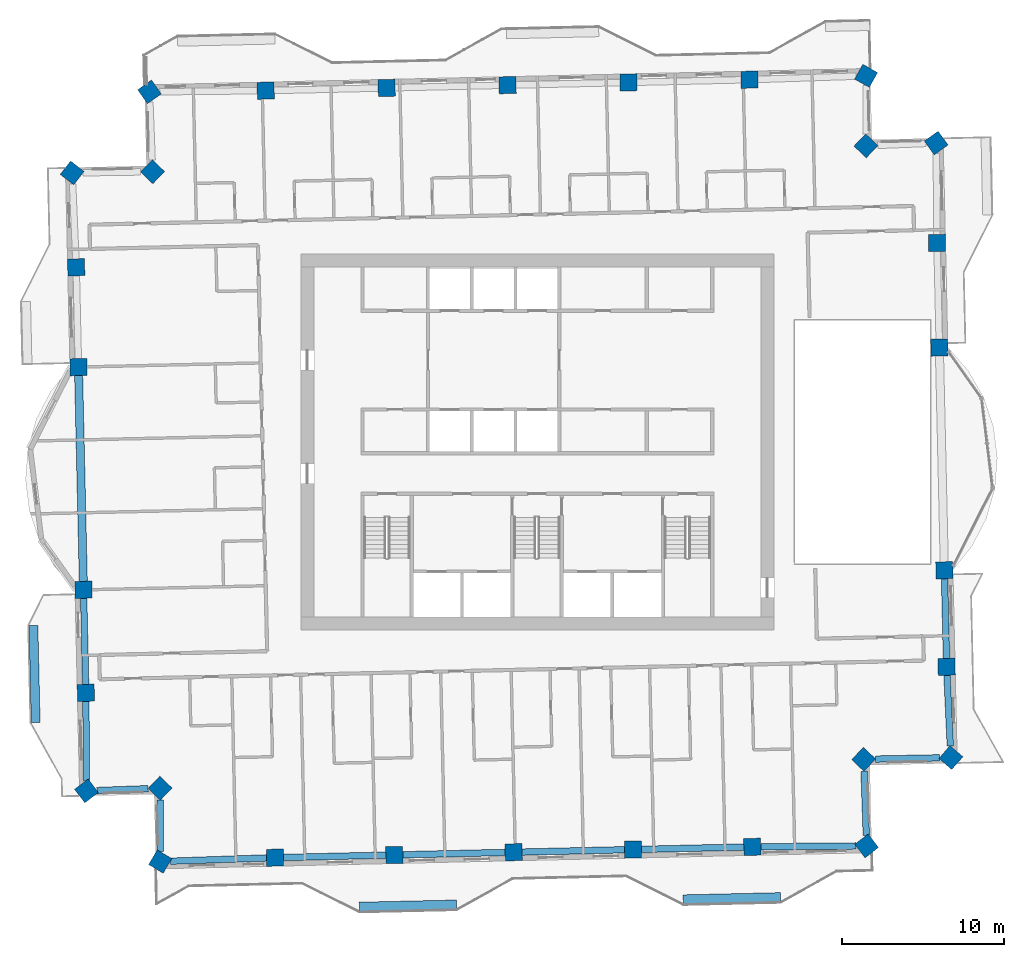
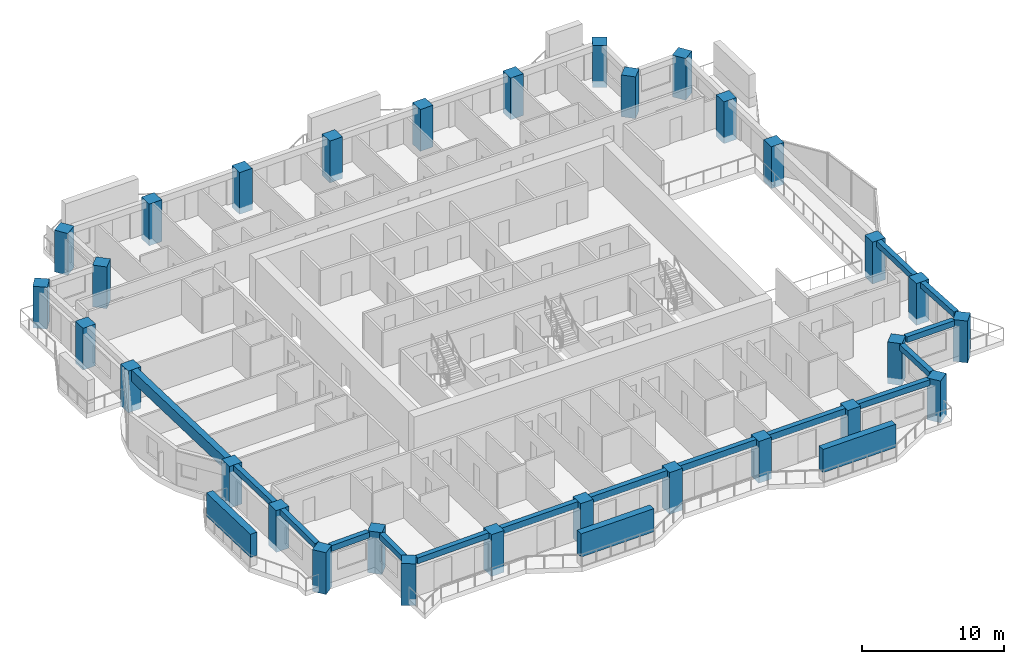
# One storey, part 1 of 17: 30 columns, 15 beams, 3 members.
"""IFC4 building model written with IfcOpenShell, lengths in metres."""

from ifc_helpers import new_model, si_unit, direction, frame, origin, origin_2d, place, context, subcontext, project, spatial, rectangle, extrude, material, material_profile, profile_set, type_object, element, save


model = new_model("IFC4")

# Units and contexts
model_context = context("Model", 3, precision=1e-05, world=origin(), true_north=direction((0.0, 1.0)))
body_context = subcontext(model_context, "Body", "Model", "MODEL_VIEW")
ifc_project = project(units=[si_unit("LENGTHUNIT", "METRE"), si_unit("AREAUNIT", "SQUARE_METRE"), si_unit("VOLUMEUNIT", "CUBIC_METRE"), si_unit("PLANEANGLEUNIT", "RADIAN"), si_unit("MASSUNIT", "GRAM", prefix="KILO")], contexts=[model_context])

# Site, building, storey
site_placement = place(None, origin())
site = spatial("IfcSite", under=ifc_project, at=site_placement, CompositionType="ELEMENT")
building_placement = place(site_placement, origin())
building = spatial("IfcBuilding", under=site, at=building_placement, Name="Mangrove Gate Tower", CompositionType="ELEMENT")
storey_placement = place(building_placement, frame((0.0, 0.0, 249.10009765625)))
storey = spatial("IfcBuildingStorey", under=building, at=storey_placement, Name="L63", CompositionType="ELEMENT", Elevation=249.10009765625)

# Columns
ifc_material_1 = material(Name="Concrete C60/75", Category="concrete")
ifc_material_profile_1 = material_profile(ifc_material_1, rectangle(XDim=1.050048828125, YDim=1.050048828125, at=origin_2d()))
ifc_profile_set_1 = profile_set([ifc_material_profile_1], Name="Concrete C60/75")
column_type = type_object("IfcColumnType", Name="Column RC 1050x1050 C60/75", PredefinedType="COLUMN", material=ifc_profile_set_1)
for number, where, z_axis, x_axis, name in (
    (1, (-28.01611328125, -9.1259765625, -0.550048828125), (0.0, 0.0, 1.0), (0.022671716894, -0.999742963593, 0.0), "Column L63 W05"),
    (2, (-27.8720703125, -15.487060546875, -0.550048828125), (0.0, 0.0, 1.0), (0.02271069751, -0.999742078848, 0.0), "Column L63 W06"),
    (3, (-27.83349609375, -21.54296875, -0.550048828125), (0.0, 0.0, 1.0), (0.604088172923, -0.796917485901, 0.0), "Column L63 W07"),
    (4, (-23.291259765625, -21.37646484375, -0.550048828125), (0.0, 0.0, 1.0), (0.722988982899, -0.690859559249, 0.0), "Column L63 W08"),
    (5, (-23.28125, -25.90234375, -0.550048828125), (0.0, 0.0, 1.0), (0.860102602096, -0.510121077655, 0.0), "Column L63 S01"),
    (6, (-16.19482421875, -25.662109375, -0.550048828125), (0.0, 0.0, 1.0), (0.999743095343, 0.022665906441, 0.0), "Column L63 S02"),
    (7, (-8.828857421875, -25.4951171875, -0.550048828125), (0.0, 0.0, 1.0), (0.999743095343, 0.022665906441, 0.0), "Column L63 S03"),
    (8, (-1.462890625, -25.328125, -0.550048828125), (0.0, 0.0, 1.0), (0.999743095343, 0.022665906441, 0.0), "Column L63 S04"),
    (9, (5.903076171875, -25.1611328125, -0.550048828125), (0.0, 0.0, 1.0), (0.999743095343, 0.022665906441, 0.0), "Column L63 S05"),
    (10, (13.26904296875, -24.994140625, -0.550048828125), (0.0, 0.0, 1.0), (0.999741555365, 0.022733729908, 0.0), "Column L63 S06"),
    (11, (20.3271484375, -24.934814453125, -0.550048828125), (0.0, 0.0, 1.0), (0.792957554961, 0.609276879612, 0.0), "Column L63 S07"),
    (12, (20.1455078125, -19.59033203125, -0.550048828125), (0.0, 0.0, 1.0), (0.690952060098, 0.72290058144, 0.0), "Column L63 E01"),
    (13, (25.52685546875, -19.486572265625, -0.550048828125), (0.0, 0.0, 1.0), (0.654234577243, 0.756291688398, 0.0), "Column L63 E02"),
    (14, (25.26318359375, -13.880859375, -0.550048828125), (0.0, 0.0, 1.0), (-0.022727116819, 0.999741705723, 0.0), "Column L63 E03"),
    (15, (25.128173828125, -7.9208984375, -0.550048828125), (0.0, 0.0, 1.0), (-0.022676462969, 0.999742855952, 0.0), "Column L63 E04"),
    (16, (24.816162109375, 5.826171875, -0.550048828125), (0.0, 0.0, 1.0), (-0.022707923152, 0.999742141868, 0.0), "Column L63 E05"),
    (17, (24.669189453125, 12.287109375, -0.550048828125), (0.0, 0.0, 1.0), (-0.022668680801, 0.999743032439, 0.0), "Column L63 E06"),
    (18, (24.620849609375, 18.454833984375, -0.550048828125), (0.0, 0.0, 1.0), (-0.581359179883, 0.813647038934, 0.0), "Column L63 E07"),
    (19, (20.286376953125, 18.280517578125, -0.550048828125), (0.0, 0.0, 1.0), (-0.722994264183, 0.690854032309, 0.0), "Column L63 E08"),
    (20, (20.29296875, 22.600830078125, -0.550048828125), (0.0, 0.0, 1.0), (-0.872897238591, 0.487904100064, 0.0), "Column L63 N01"),
    (21, (13.094970703125, 22.364013671875, -0.550048828125), (0.0, 0.0, 1.0), (-0.999742388325, -0.022697070002, 0.0), "Column L63 N02"),
    (22, (5.62890625, 22.195068359375, -0.550048828125), (0.0, 0.0, 1.0), (-0.999743905277, -0.022630153817, 0.0), "Column L63 N03"),
    (23, (-1.837158203125, 22.026123046875, -0.550048828125), (0.0, 0.0, 1.0), (-0.999742388325, -0.022697070002, 0.0), "Column L63 N04"),
    (24, (-9.302978515625, 21.856201171875, -0.550048828125), (0.0, 0.0, 1.0), (-0.999742388325, -0.022697070002, 0.0), "Column L63 N05"),
    (25, (-16.76904296875, 21.687255859375, -0.550048828125), (0.0, 0.0, 1.0), (-0.999742388325, -0.022697070002, 0.0), "Column L63 N06"),
    (26, (-23.945068359375, 21.612548828125, -0.550048828125), (0.0, 0.0, 1.0), (-0.818137935301, -0.575022015946, 0.0), "Column L63 N07"),
    (27, (-23.75439453125, 16.68115234375, -0.550048828125), (0.0, 0.0, 1.0), (-0.690946470748, -0.722905923728, 0.0), "Column L63 W01"),
    (28, (-28.718017578125, 16.608642578125, -0.550048828125), (0.0, 0.0, 1.0), (-0.612246894698, -0.790666642734, 0.0), "Column L63 W02"),
    (29, (-28.468017578125, 10.781005859375, -0.550048828125), (0.0, 0.0, 1.0), (0.022719561495, -0.999741877449, 0.0), "Column L63 W03"),
    (30, (-28.328125, 4.620849609375, -0.550048828125), (0.0, 0.0, 1.0), (0.022699722219, -0.999742328108, 0.0), "Column L63 W04"),
):
    element("IfcColumn", number, at=place(storey_placement, frame(where, z_axis=z_axis, x_axis=x_axis)), inside=storey, type_object=column_type, Name=name, PredefinedType="COLUMN", context=body_context, shape_type="SweptSolid", body=[
        extrude(rectangle(XDim=1.050048828125, YDim=1.050048828125, at=origin_2d()), origin(), (0.0, 0.0, 1.0), 3.599853515625),
    ])

# Members
ifc_material_2 = material(Name="Planting on aluminium trellis", Category="aluminium")
ifc_material_profile_2 = material_profile(ifc_material_2, rectangle(XDim=0.550048828125, YDim=2.0, at=origin_2d()))
ifc_profile_set_2 = profile_set([ifc_material_profile_2], Name="Planting on aluminium trellis")
member_type = type_object("IfcMemberType", Name="Balcony greenery screen 550x2000", PredefinedType="USERDEFINED", material=ifc_profile_set_2)
for number, where, z_axis, x_axis, name in (
    (31, (-30.970947265625, -17.321044921875, 1.7998046875), (-0.022662255828, 0.999743178102, 0.0), (-0.999743178102, -0.022662255828, 0.0), "GREEN SCREEN L63 W1.1"),
    (32, (-10.989013671875, -28.68505859375, 1.7998046875), (0.999743178102, 0.022662255828, 0.0), (-0.022662255828, 0.999743178102, 0.0), "GREEN SCREEN L63 S0.1"),
):
    element("IfcMember", number, at=place(storey_placement, frame(where, z_axis=z_axis, x_axis=x_axis)), inside=storey, type_object=member_type, Name=name, ObjectType="PLANTING", PredefinedType="USERDEFINED", context=body_context, shape_type="SweptSolid", body=[
        extrude(rectangle(XDim=0.550048828125, YDim=2.0, at=origin_2d()), origin(), (0.0, 0.0, 1.0), 6.00048828125),
    ])
member_placement = place(storey_placement, frame((9.006103515625, -28.23095703125, 1.7998046875), z_axis=(0.999743157205, 0.022663177671, 0.0), x_axis=(-0.022663177671, 0.999743157205, 0.0)))
element("IfcMember", 33, at=member_placement, inside=storey, type_object=member_type, Name="GREEN SCREEN L63 S1.1", ObjectType="PLANTING", PredefinedType="USERDEFINED", context=body_context, shape_type="SweptSolid", body=[
    extrude(rectangle(XDim=0.550048828125, YDim=2.0, at=origin_2d()), origin(), (0.0, 0.0, 1.0), 6.000244140625),
])

# Beams
ifc_material_3 = material(Name="Concrete C50/60", Category="concrete")
ifc_material_profile_3 = material_profile(ifc_material_3, rectangle(XDim=0.39990234375, YDim=0.5, at=origin_2d()))
ifc_profile_set_3 = profile_set([ifc_material_profile_3], Name="Concrete C50/60")
beam_type_1 = type_object("IfcBeamType", Name="Edge beam RC 400x500 C50/60", PredefinedType="BEAM", material=ifc_profile_set_3)
beam_1_placement = place(storey_placement, frame((-28.004150390625, -9.65087890625, 2.7998046875), z_axis=(0.022609709445, -0.999744367846, 0.0), x_axis=(0.999744367846, 0.022609709445, 0.0)))
element("IfcBeam", 34, at=beam_1_placement, inside=storey, type_object=beam_type_1, Name="Edge beam L63 00", PredefinedType="BEAM", context=body_context, shape_type="SweptSolid", body=[
    extrude(rectangle(XDim=0.39990234375, YDim=0.5, at=origin_2d()), origin(), (0.0, 0.0, 1.0), 5.312744140625),
])
beam_2_placement = place(storey_placement, frame((-27.868896484375, -16.01220703125, 2.7998046875), z_axis=(0.006360047646, -0.999979774692, 0.0), x_axis=(0.999979774692, 0.006360047646, 0.0)))
element("IfcBeam", 35, at=beam_2_placement, inside=storey, type_object=beam_type_1, Name="Edge beam L63 01", PredefinedType="BEAM", context=body_context, shape_type="SweptSolid", body=[
    extrude(rectangle(XDim=0.39990234375, YDim=0.5, at=origin_2d()), origin(), (0.0, 0.0, 1.0), 4.875),
])
beam_3_placement = place(storey_placement, frame((-27.192626953125, -21.519287109375, 2.7998046875), z_axis=(0.999331289384, 0.036564655866, 0.0), x_axis=(-0.036564655866, 0.999331289384, 0.0)))
element("IfcBeam", 36, at=beam_3_placement, inside=storey, type_object=beam_type_1, Name="Edge beam L63 02", PredefinedType="BEAM", context=body_context, shape_type="SweptSolid", body=[
    extrude(rectangle(XDim=0.39990234375, YDim=0.5, at=origin_2d()), origin(), (0.0, 0.0, 1.0), 3.171630859375),
])
beam_4_placement = place(storey_placement, frame((-23.289794921875, -22.104248046875, 2.7998046875), z_axis=(0.002298140093, -0.999997359273, 0.0), x_axis=(0.999997359273, 0.002298140093, 0.0)))
element("IfcBeam", 37, at=beam_4_placement, inside=storey, type_object=beam_type_1, Name="Edge beam L63 03", PredefinedType="BEAM", context=body_context, shape_type="SweptSolid", body=[
    extrude(rectangle(XDim=0.39990234375, YDim=0.5, at=origin_2d()), origin(), (0.0, 0.0, 1.0), 3.18701171875),
])
beam_5_placement = place(storey_placement, frame((-22.658203125, -25.88134765625, 2.7998046875), z_axis=(0.999425310305, 0.033897627076, 0.0), x_axis=(-0.033897627076, 0.999425310305, 0.0)))
element("IfcBeam", 38, at=beam_5_placement, inside=storey, type_object=beam_type_1, Name="Edge beam L63 04", PredefinedType="BEAM", context=body_context, shape_type="SweptSolid", body=[
    extrude(rectangle(XDim=0.39990234375, YDim=0.5, at=origin_2d()), origin(), (0.0, 0.0, 1.0), 5.94189453125),
])
beam_6_placement = place(storey_placement, frame((13.794189453125, -24.98974609375, 2.7998046875), z_axis=(0.99996442022, 0.008435537621, 0.0), x_axis=(-0.008435537621, 0.99996442022, 0.0)))
element("IfcBeam", 39, at=beam_6_placement, inside=storey, type_object=beam_type_1, Name="Edge beam L63 09", PredefinedType="BEAM", context=body_context, shape_type="SweptSolid", body=[
    extrude(rectangle(XDim=0.39990234375, YDim=0.5, at=origin_2d()), origin(), (0.0, 0.0, 1.0), 5.875244140625),
])
beam_7_placement = place(storey_placement, frame((20.30517578125, -24.28955078125, 2.7998046875), z_axis=(-0.033964262913, 0.999423047986, 0.0), x_axis=(-0.999423047986, -0.033964262913, 0.0)))
element("IfcBeam", 40, at=beam_7_placement, inside=storey, type_object=beam_type_1, Name="Edge beam L63 10", PredefinedType="BEAM", context=body_context, shape_type="SweptSolid", body=[
    extrude(rectangle(XDim=0.39990234375, YDim=0.5, at=origin_2d()), origin(), (0.0, 0.0, 1.0), 3.9677734375),
])
beam_8_placement = place(storey_placement, frame((20.88525390625, -19.575927734375, 2.7998046875), z_axis=(0.999815162957, 0.019226021991, 0.0), x_axis=(-0.019226021991, 0.999815162957, 0.0)))
element("IfcBeam", 41, at=beam_8_placement, inside=storey, type_object=beam_type_1, Name="Edge beam L63 11", PredefinedType="BEAM", context=body_context, shape_type="SweptSolid", body=[
    extrude(rectangle(XDim=0.39990234375, YDim=0.5, at=origin_2d()), origin(), (0.0, 0.0, 1.0), 3.9365234375),
])
beam_9_placement = place(storey_placement, frame((25.492919921875, -18.762939453125, 2.7998046875), z_axis=(-0.047012059076, 0.998894321889, 0.0), x_axis=(-0.998894321889, -0.047012059076, 0.0)))
element("IfcBeam", 42, at=beam_9_placement, inside=storey, type_object=beam_type_1, Name="Edge beam L63 12", PredefinedType="BEAM", context=body_context, shape_type="SweptSolid", body=[
    extrude(rectangle(XDim=0.39990234375, YDim=0.5, at=origin_2d()), origin(), (0.0, 0.0, 1.0), 4.3623046875),
])
beam_10_placement = place(storey_placement, frame((25.251220703125, -13.35595703125, 2.7998046875), z_axis=(-0.022617522224, 0.999744191125, 0.0), x_axis=(-0.999744191125, -0.022617522224, 0.0)))
element("IfcBeam", 43, at=beam_10_placement, inside=storey, type_object=beam_type_1, Name="Edge beam L63 13", PredefinedType="BEAM", context=body_context, shape_type="SweptSolid", body=[
    extrude(rectangle(XDim=0.39990234375, YDim=0.5, at=origin_2d()), origin(), (0.0, 0.0, 1.0), 4.911376953125),
])
ifc_material_4 = material(Name="Concrete C50/60", Category="concrete")
ifc_material_profile_4 = material_profile(ifc_material_4, rectangle(XDim=0.39990234375, YDim=0.550048828125, at=origin_2d()))
ifc_profile_set_4 = profile_set([ifc_material_profile_4], Name="Concrete C50/60")
beam_type_2 = type_object("IfcBeamType", Name="Edge beam RC 400x550 C50/60", PredefinedType="BEAM", material=ifc_profile_set_4)
for number, where, z_axis, x_axis, name in (
    (44, (-15.669921875, -25.650146484375, 2.77490234375), (0.99974356829, 0.02264503618, 0.0), (-0.02264503618, 0.99974356829, 0.0), "Edge beam L63 05"),
    (45, (-8.303955078125, -25.483154296875, 2.77490234375), (0.99974356829, 0.02264503618, 0.0), (-0.02264503618, 0.99974356829, 0.0), "Edge beam L63 06"),
    (46, (-0.93798828125, -25.316162109375, 2.77490234375), (0.99974356829, 0.02264503618, 0.0), (-0.02264503618, 0.99974356829, 0.0), "Edge beam L63 07"),
    (47, (6.427978515625, -25.149169921875, 2.77490234375), (0.99974356829, 0.02264503618, 0.0), (-0.02264503618, 0.99974356829, 0.0), "Edge beam L63 08"),
):
    element("IfcBeam", number, at=place(storey_placement, frame(where, z_axis=z_axis, x_axis=x_axis)), inside=storey, type_object=beam_type_2, Name=name, PredefinedType="BEAM", context=body_context, shape_type="SweptSolid", body=[
        extrude(rectangle(XDim=0.39990234375, YDim=0.550048828125, at=origin_2d()), origin(), (0.0, 0.0, 1.0), 6.31787109375),
    ])
ifc_material_5 = material(Name="Concrete C50/60", Category="concrete")
ifc_material_profile_5 = material_profile(ifc_material_5, rectangle(XDim=0.5, YDim=1.0, at=origin_2d()))
ifc_profile_set_5 = profile_set([ifc_material_profile_5], Name="Concrete C50/60")
beam_type_3 = type_object("IfcBeamType", Name="Edge beam RC 500x1000 C50/60", PredefinedType="BEAM", material=ifc_profile_set_5)
beam_11_placement = place(storey_placement, frame((-28.316162109375, 4.095947265625, 2.5498046875), z_axis=(0.022682979457, -0.999742708122, 0.0), x_axis=(0.999742708122, 0.022682979457, 0.0)))
element("IfcBeam", 48, at=beam_11_placement, inside=storey, type_object=beam_type_3, Name="Edge beam L63 29", PredefinedType="BEAM", context=body_context, shape_type="SweptSolid", body=[
    extrude(rectangle(XDim=0.5, YDim=1.0, at=origin_2d()), origin(), (0.0, 0.0, 1.0), 12.700439453125),
])

save(model, "model.ifc")
